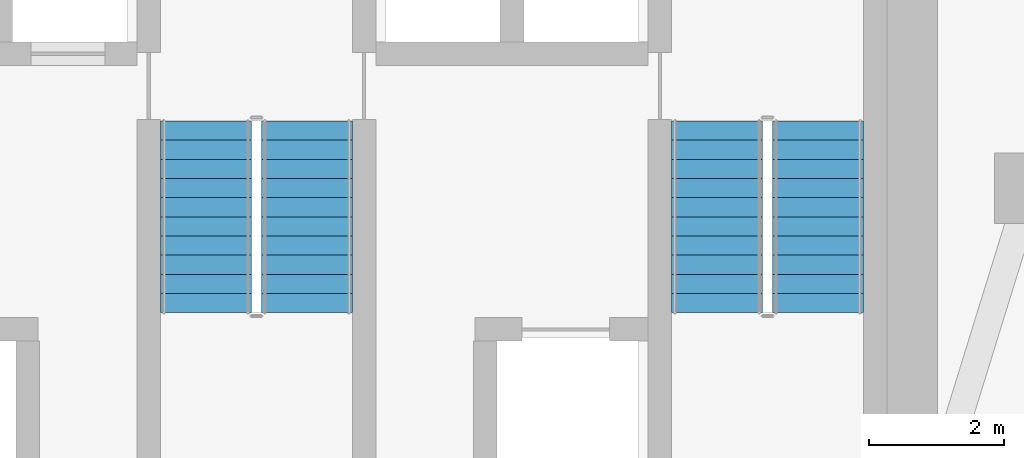
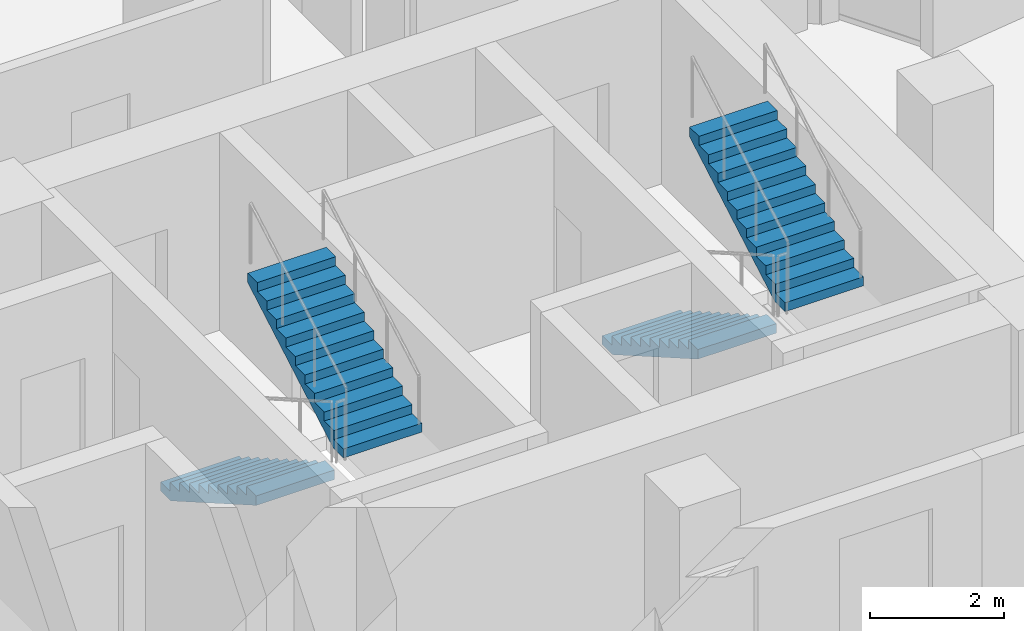
# One storey, part 10 of 12: 4 stair flights, 2 elements without a shape of their own.
"""IFC4 building model written with IfcOpenShell, lengths in metres."""

from ifc_helpers import new_model, si_unit, direction, frame, origin, place, context, subcontext, project, spatial, polyline, outline, extrude, material, type_object, element, aggregate, save


model = new_model("IFC4")

# Units and contexts
model_context = context("Model", 3, precision=1e-05, world=origin(), true_north=direction((0.0, 1.0)))
body_context = subcontext(model_context, "Body", "Model", "MODEL_VIEW")
ifc_project = project(units=[si_unit("LENGTHUNIT", "METRE"), si_unit("AREAUNIT", "SQUARE_METRE"), si_unit("VOLUMEUNIT", "CUBIC_METRE"), si_unit("PLANEANGLEUNIT", "RADIAN"), si_unit("MASSUNIT", "GRAM", prefix="KILO")], contexts=[model_context])

# Site, building, storey
site_placement = place(None, origin())
site = spatial("IfcSite", under=ifc_project, at=site_placement, CompositionType="ELEMENT")
building_placement = place(site_placement, origin())
building = spatial("IfcBuilding", under=site, at=building_placement, Name="Almagre Mirador Tower", CompositionType="ELEMENT")
storey_placement = place(building_placement, frame((0.0, 0.0, 139.199951171875)))
storey = spatial("IfcBuildingStorey", under=building, at=storey_placement, Name="L35", CompositionType="ELEMENT", Elevation=139.199951171875)

# Stair, stair flights
ifc_material_1 = material(Name="Concrete C45/55", Category="concrete")
stair_type = type_object("IfcStairType", Name="STR-DL-3600", PredefinedType="HALF_TURN_STAIR", material=ifc_material_1)
stair_1_placement = place(storey_placement, origin())
stair_1 = element("IfcStair", 1, at=stair_1_placement, inside=storey, type_object=stair_type, Name="L35 Protected exit stair ST-2", PredefinedType="HALF_TURN_STAIR")
ifc_material_2 = material(Name="Concrete C45/55", Category="concrete")
stair_flight_type = type_object("IfcStairFlightType", Name="FLT-DL-3600", PredefinedType="STRAIGHT", material=ifc_material_2)
stair_flight_1_placement = place(storey_placement, frame((36.550048828125, 11.199951171875, 0.0), z_axis=(0.0, 0.0, 1.0), x_axis=(0.0, -1.0, 0.0)))
stair_flight_1 = element("IfcStairFlight", 2, at=stair_flight_1_placement, type_object=stair_flight_type, Name="ST-2 flight 1", NumberOfRisers=11, NumberOfTreads=10, PredefinedType="STRAIGHT", RiserHeight=0.163636364, TreadLength=0.285, context=body_context, shape_type="SweptSolid", body=[
    extrude(outline(polyline([(0.0, 0.0), (0.0, 0.16357421875), (0.284912109375, 0.16357421875), (0.284912109375, 0.327392578125), (0.570068359375, 0.327392578125), (0.570068359375, 0.490966796875), (0.85498046875, 0.490966796875), (0.85498046875, 0.654541015625), (1.139892578125, 0.654541015625), (1.139892578125, 0.818115234375), (1.425048828125, 0.818115234375), (1.425048828125, 0.98193359375), (1.7099609375, 0.98193359375), (1.7099609375, 1.1455078125), (1.9951171875, 1.1455078125), (1.9951171875, 1.30908203125), (2.280029296875, 1.30908203125), (2.280029296875, 1.47265625), (2.56494140625, 1.47265625), (2.56494140625, 1.636474609375), (2.85009765625, 1.636474609375), (2.85009765625, 1.800048828125), (2.85009765625, 1.463623046875), (0.301025390625, 0.0), (0.0, 0.0)])), frame((0.0, 0.675048828125, 0.0), z_axis=(0.0, -1.0, 0.0), x_axis=(1.0, 0.0, 0.0)), (0.0, 0.0, 1.0), 1.35009765625),
])
stair_flight_2_placement = place(storey_placement, frame((38.050048828125, 8.35009765625, 1.800048828125), z_axis=(0.0, 0.0, 1.0), x_axis=(0.0, 1.0, 0.0)))
stair_flight_2 = element("IfcStairFlight", 3, at=stair_flight_2_placement, type_object=stair_flight_type, Name="ST-2 flight 2", NumberOfRisers=11, NumberOfTreads=10, PredefinedType="STRAIGHT", RiserHeight=0.163636364, TreadLength=0.285, context=body_context, shape_type="SweptSolid", body=[
    extrude(outline(polyline([(0.0, 0.0), (0.0, 0.16357421875), (0.284912109375, 0.16357421875), (0.284912109375, 0.327392578125), (0.570068359375, 0.327392578125), (0.570068359375, 0.490966796875), (0.85498046875, 0.490966796875), (0.85498046875, 0.654541015625), (1.139892578125, 0.654541015625), (1.139892578125, 0.818115234375), (1.425048828125, 0.818115234375), (1.425048828125, 0.98193359375), (1.7099609375, 0.98193359375), (1.7099609375, 1.1455078125), (1.9951171875, 1.1455078125), (1.9951171875, 1.30908203125), (2.280029296875, 1.30908203125), (2.280029296875, 1.47265625), (2.56494140625, 1.47265625), (2.56494140625, 1.636474609375), (2.85009765625, 1.636474609375), (2.85009765625, 1.800048828125), (2.85009765625, 1.463623046875), (0.301025390625, 0.0), (0.0, 0.0)])), frame((0.0, 0.675048828125, 0.0), z_axis=(0.0, -1.0, 0.0), x_axis=(1.0, 0.0, 0.0)), (0.0, 0.0, 1.0), 1.35009765625),
])
aggregate(stair_1, [stair_flight_1, stair_flight_2])

stair_2_placement = place(storey_placement, origin())
stair_2 = element("IfcStair", 4, at=stair_2_placement, inside=storey, type_object=stair_type, Name="L35 Protected exit stair ST-3", PredefinedType="HALF_TURN_STAIR")
stair_flight_3_placement = place(storey_placement, frame((44.14990234375, 11.199951171875, 0.0), z_axis=(0.0, 0.0, 1.0), x_axis=(0.0, -1.0, 0.0)))
stair_flight_3 = element("IfcStairFlight", 5, at=stair_flight_3_placement, type_object=stair_flight_type, Name="ST-3 flight 1", NumberOfRisers=11, NumberOfTreads=10, PredefinedType="STRAIGHT", RiserHeight=0.163636364, TreadLength=0.285, context=body_context, shape_type="SweptSolid", body=[
    extrude(outline(polyline([(0.0, 0.0), (0.0, 0.16357421875), (0.284912109375, 0.16357421875), (0.284912109375, 0.327392578125), (0.570068359375, 0.327392578125), (0.570068359375, 0.490966796875), (0.85498046875, 0.490966796875), (0.85498046875, 0.654541015625), (1.139892578125, 0.654541015625), (1.139892578125, 0.818115234375), (1.425048828125, 0.818115234375), (1.425048828125, 0.98193359375), (1.7099609375, 0.98193359375), (1.7099609375, 1.1455078125), (1.9951171875, 1.1455078125), (1.9951171875, 1.30908203125), (2.280029296875, 1.30908203125), (2.280029296875, 1.47265625), (2.56494140625, 1.47265625), (2.56494140625, 1.636474609375), (2.85009765625, 1.636474609375), (2.85009765625, 1.800048828125), (2.85009765625, 1.463623046875), (0.301025390625, 0.0), (0.0, 0.0)])), frame((0.0, 0.675048828125, 0.0), z_axis=(0.0, -1.0, 0.0), x_axis=(1.0, 0.0, 0.0)), (0.0, 0.0, 1.0), 1.35009765625),
])
stair_flight_4_placement = place(storey_placement, frame((45.64990234375, 8.35009765625, 1.800048828125), z_axis=(0.0, 0.0, 1.0), x_axis=(0.0, 1.0, 0.0)))
stair_flight_4 = element("IfcStairFlight", 6, at=stair_flight_4_placement, type_object=stair_flight_type, Name="ST-3 flight 2", NumberOfRisers=11, NumberOfTreads=10, PredefinedType="STRAIGHT", RiserHeight=0.163636364, TreadLength=0.285, context=body_context, shape_type="SweptSolid", body=[
    extrude(outline(polyline([(0.0, 0.0), (0.0, 0.16357421875), (0.284912109375, 0.16357421875), (0.284912109375, 0.327392578125), (0.570068359375, 0.327392578125), (0.570068359375, 0.490966796875), (0.85498046875, 0.490966796875), (0.85498046875, 0.654541015625), (1.139892578125, 0.654541015625), (1.139892578125, 0.818115234375), (1.425048828125, 0.818115234375), (1.425048828125, 0.98193359375), (1.7099609375, 0.98193359375), (1.7099609375, 1.1455078125), (1.9951171875, 1.1455078125), (1.9951171875, 1.30908203125), (2.280029296875, 1.30908203125), (2.280029296875, 1.47265625), (2.56494140625, 1.47265625), (2.56494140625, 1.636474609375), (2.85009765625, 1.636474609375), (2.85009765625, 1.800048828125), (2.85009765625, 1.463623046875), (0.301025390625, 0.0), (0.0, 0.0)])), frame((0.0, 0.675048828125, 0.0), z_axis=(0.0, -1.0, 0.0), x_axis=(1.0, 0.0, 0.0)), (0.0, 0.0, 1.0), 1.35009765625),
])
aggregate(stair_2, [stair_flight_3, stair_flight_4])

save(model, "model.ifc")
